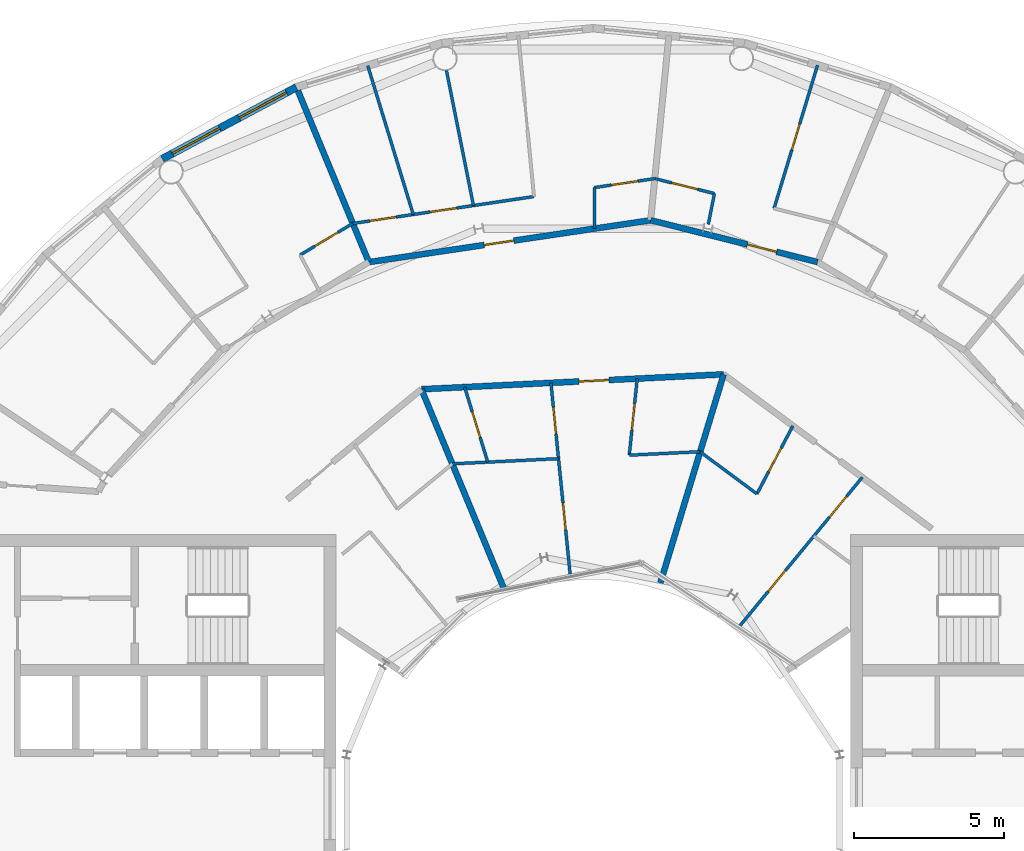
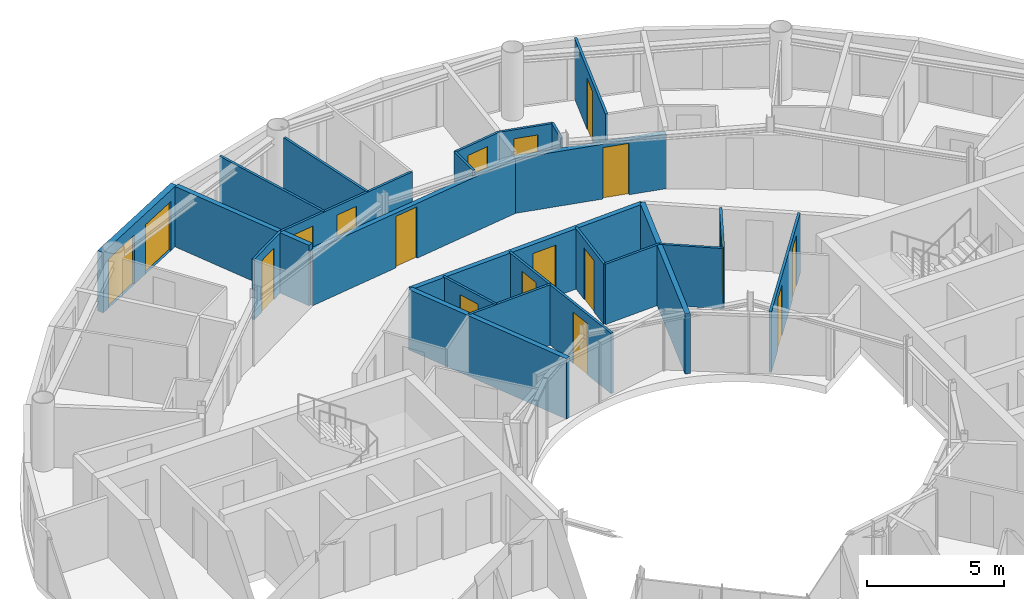
# One storey, part 17 of 22: 24 walls, 18 doors, 18 openings.
"""IFC4 building model written with IfcOpenShell, lengths in metres."""

import ifcopenshell
import ifcopenshell.guid

model = None  # the IFC model being written
_history = None  # IfcOwnerHistory: only IFC2X3 demands one
_inside = {}  # id of a spatial element -> (the spatial element, [elements in it])
_under = {}  # id of a project, library or spatial element -> (it, [spatial elements below it])
_declared = {}  # id of a project -> (the project, [libraries it declares])
_typed = {}  # id of a type object -> (the type object, [elements of that type])
_made_of = {}  # id of a material, layer set ... -> (it, [elements and type objects made of it])


def new_model(schema):
    """Start an empty IFC model of exactly this schema.

    Asked for "IFC4X3", IfcOpenShell would pick the latest addendum, in which some entities
    have other attributes; the version numbers below select the first issue.
    IFC2X3 requires an IfcOwnerHistory on every rooted entity: one is made here for all.
    """
    global model, _history
    if schema == "IFC4X3":
        model = ifcopenshell.file(schema_version=(4, 3, 0, 0))
    else:
        model = ifcopenshell.file(schema=schema)
    _inside.clear()
    _under.clear()
    _declared.clear()
    _typed.clear()
    _made_of.clear()
    _history = None
    if model.schema == "IFC2X3":
        org = make("IfcOrganization", Name="unknown")
        user = make(
            "IfcPersonAndOrganization",
            ThePerson=make("IfcPerson", FamilyName="unknown"),
            TheOrganization=org,
        )
        app = make(
            "IfcApplication",
            ApplicationDeveloper=org,
            Version="unknown",
            ApplicationFullName="unknown",
            ApplicationIdentifier="unknown",
        )
        _history = make(
            "IfcOwnerHistory",
            OwningUser=user,
            OwningApplication=app,
            ChangeAction="ADDED",
            CreationDate=0,
        )
    return model


def make(cls, **values):
    """One entity of the class cls with the attributes given. An attribute that is None is left unset."""
    return model.create_entity(
        cls, **{name: value for name, value in values.items() if value is not None}
    )


def rooted(cls, **values):
    """An entity with a GlobalId (a new one), such as an element, a storey or a relation."""
    return make(cls, GlobalId=ifcopenshell.guid.new(), OwnerHistory=_history, **values)


def si_unit(unit_type, name, prefix=None):
    """IfcSIUnit, for example si_unit("LENGTHUNIT", "METRE", prefix="MILLI")."""
    return make("IfcSIUnit", UnitType=unit_type, Prefix=prefix, Name=name)


def assignment(units):
    """IfcUnitAssignment: the units of a project."""
    return None if units is None else make("IfcUnitAssignment", Units=units)


def point(xyz):
    """IfcCartesianPoint."""
    return None if xyz is None else make("IfcCartesianPoint", Coordinates=xyz)


def direction(xyz):
    """IfcDirection."""
    return None if xyz is None else make("IfcDirection", DirectionRatios=xyz)


def frame(location, z_axis=None, x_axis=None):
    """IfcAxis2Placement3D, a coordinate frame: its origin and axes. An axis left out is left unset."""
    return make(
        "IfcAxis2Placement3D",
        Location=point(location),
        Axis=direction(z_axis),
        RefDirection=direction(x_axis),
    )


def frame_2d(location, x_axis=None):
    """IfcAxis2Placement2D, a coordinate frame in the plane: its origin and x axis."""
    return make(
        "IfcAxis2Placement2D", Location=point(location), RefDirection=direction(x_axis)
    )


def origin():
    """The frame at (0, 0, 0) with its axes left unset."""
    return frame((0.0, 0.0, 0.0))


def place(relative_to, where):
    """IfcLocalPlacement: puts the frame where relative to a parent placement (None: the world)."""
    return make(
        "IfcLocalPlacement", PlacementRelTo=relative_to, RelativePlacement=where
    )


def context(
    kind, dimensions, precision=None, world=None, true_north=None, identifier=None
):
    """IfcGeometricRepresentationContext, for example the 3D "Model" context."""
    return make(
        "IfcGeometricRepresentationContext",
        ContextIdentifier=identifier,
        ContextType=kind,
        CoordinateSpaceDimension=dimensions,
        Precision=precision,
        WorldCoordinateSystem=world,
        TrueNorth=true_north,
    )


def subcontext(parent, identifier, kind, view, scale=None):
    """IfcGeometricRepresentationSubContext, for example "Body" below "Model"."""
    return make(
        "IfcGeometricRepresentationSubContext",
        ContextIdentifier=identifier,
        ContextType=kind,
        ParentContext=parent,
        TargetScale=scale,
        TargetView=view,
    )


def project(units=None, contexts=None):
    """IfcProject with its units and contexts."""
    return rooted(
        "IfcProject",
        Name="project",
        RepresentationContexts=contexts,
        UnitsInContext=assignment(units),
    )


def spatial(cls, under=None, at=None, **own):
    """A site, building, storey or space (cls), placed at a placement, below another one or the project."""
    s = rooted(cls, ObjectPlacement=at, **own)
    if under is not None:
        _under.setdefault(under.id(), (under, []))[1].append(s)
    return s


def profile(cls, at=None, kind="AREA", **sizes):
    """A parametric profile (cls). Its sizes go by their IFC names, for example OverallWidth=200.0."""
    return make(cls, ProfileType=kind, Position=at, **sizes)


def rectangle(**sizes):
    """IfcRectangleProfileDef."""
    return profile("IfcRectangleProfileDef", **sizes)


def extrude(swept, where, along, depth):
    """IfcExtrudedAreaSolid: the profile swept, set in the frame where, extruded along a direction by depth."""
    return make(
        "IfcExtrudedAreaSolid",
        SweptArea=swept,
        Position=where,
        ExtrudedDirection=direction(along),
        Depth=depth,
    )


def shape(context_of_items, identifier, shape_type, items):
    """IfcShapeRepresentation: the items that make up one representation, for example the "Body"."""
    return make(
        "IfcShapeRepresentation",
        ContextOfItems=context_of_items,
        RepresentationIdentifier=identifier,
        RepresentationType=shape_type,
        Items=items,
    )


def material(Name=None, Category=None):
    """IfcMaterial."""
    return make("IfcMaterial", Name=Name, Category=Category)


def layer(
    of_material, thickness, ventilated=None, Name=None, Category=None, Priority=None
):
    """IfcMaterialLayer: one layer of a wall or slab, of a material (None: an air gap)."""
    return make(
        "IfcMaterialLayer",
        Material=of_material,
        LayerThickness=thickness,
        IsVentilated=ventilated,
        Name=Name,
        Category=Category,
        Priority=Priority,
    )


def layer_set(layers, Name=None):
    """IfcMaterialLayerSet."""
    return make("IfcMaterialLayerSet", MaterialLayers=layers, LayerSetName=Name)


def made_of(thing, what):
    """Note that an element or type object is made of a material, layer set ...; save() writes the relation."""
    if what is not None:
        _made_of.setdefault(what.id(), (what, []))[1].append(thing)
    return thing


def type_object(cls, material=None, **own):
    """A type object (cls), such as IfcWallType, which elements share."""
    return made_of(rooted(cls, **own), material)


def element(
    cls,
    number,
    at=None,
    inside=None,
    cuts=None,
    type_object=None,
    material=None,
    context=None,
    identifier="Body",
    shape_type=None,
    held_by="IfcProductDefinitionShape",
    body=None,
    shapes=None,
    **own,
):
    """One element of the class cls, such as IfcWall. Its Tag is "e" and its number.

    at: its placement. inside: the storey or other place that contains it. cuts: it is an
    opening in that element (IfcRelVoidsElement). A single representation is given by context,
    identifier, shape_type and body (its items); several are given by shapes. held_by: the class
    of the entity that holds the representations. save() writes the other relations.
    """
    e = rooted(cls, Tag="e%d" % number, ObjectPlacement=at, **own)
    if body is not None:
        shapes = [shape(context, identifier, shape_type, body)]
    if shapes is not None:
        e.Representation = make(held_by, Representations=shapes)
    if inside is not None:
        _inside.setdefault(inside.id(), (inside, []))[1].append(e)
    if cuts is not None:
        rooted(
            "IfcRelVoidsElement", RelatingBuildingElement=cuts, RelatedOpeningElement=e
        )
    if type_object is not None:
        _typed.setdefault(type_object.id(), (type_object, []))[1].append(e)
    return made_of(e, material)


def fill(opening, filler):
    """IfcRelFillsElement: the door or window that sits in an opening."""
    return rooted(
        "IfcRelFillsElement",
        RelatingOpeningElement=opening,
        RelatedBuildingElement=filler,
    )


def aggregate(whole, parts):
    """IfcRelAggregates: a whole, such as a stair, and the parts it consists of."""
    return rooted("IfcRelAggregates", RelatingObject=whole, RelatedObjects=parts)


def save(model, path):
    """Write the relations noted so far, then the file.

    IfcRelAggregates (storeys below a building ...), IfcRelContainedInSpatialStructure (elements
    in a storey), IfcRelDefinesByType, IfcRelAssociatesMaterial and IfcRelDeclares: one each for
    every whole, place, type object, material and project.
    """
    for whole, parts in _under.values():
        aggregate(whole, parts)
    for where, things in _inside.values():
        rooted(
            "IfcRelContainedInSpatialStructure",
            RelatedElements=things,
            RelatingStructure=where,
        )
    for kind, things in _typed.values():
        rooted("IfcRelDefinesByType", RelatedObjects=things, RelatingType=kind)
    for what, things in _made_of.values():
        rooted("IfcRelAssociatesMaterial", RelatedObjects=things, RelatingMaterial=what)
    for by, libraries in _declared.values():
        rooted("IfcRelDeclares", RelatingContext=by, RelatedDefinitions=libraries)
    model.write(path)


model = new_model("IFC4")

# Units and contexts
model_context = context("Model", 3, precision=1e-05, world=origin(), true_north=direction((0.0, 1.0)))
body_context = subcontext(model_context, "Body", "Model", "MODEL_VIEW")
ifc_project = project(units=[si_unit("LENGTHUNIT", "METRE"), si_unit("AREAUNIT", "SQUARE_METRE"), si_unit("VOLUMEUNIT", "CUBIC_METRE"), si_unit("PLANEANGLEUNIT", "RADIAN"), si_unit("MASSUNIT", "GRAM", prefix="KILO")], contexts=[model_context])

# Site, building, storey
site_placement = place(None, origin())
site = spatial("IfcSite", under=ifc_project, at=site_placement, CompositionType="ELEMENT")
building_placement = place(site_placement, origin())
building = spatial("IfcBuilding", under=site, at=building_placement, Name="Maasbend Ring Residences", CompositionType="ELEMENT")
storey_placement = place(building_placement, frame((0.0, 0.0, 237.10009765625)))
storey = spatial("IfcBuildingStorey", under=building, at=storey_placement, Name="L68", CompositionType="ELEMENT", Elevation=237.10009765625)

# Wall, opening, door
ifc_material_1 = material(Name="Concrete C30/37", Category="concrete")
ifc_layer_1 = layer(ifc_material_1, 0.199951171875)
ifc_layer_set_1 = layer_set([ifc_layer_1], Name="Concrete C30/37")
wall_type_1 = type_object("IfcWallType", Name="CORRIDOR WALL 200 CONCRETE", PredefinedType="PARTITIONING", material=ifc_layer_set_1)
wall_1_placement = place(storey_placement, frame((-5.739990234375, 13.85791015625, 0.0), z_axis=(0.0, 0.0, 1.0), x_axis=(0.998789706874, 0.049184565079, 0.0)))
wall_1 = element("IfcWall", 1, at=wall_1_placement, inside=storey, type_object=wall_type_1, Name="U-L68-w107", PredefinedType="PARTITIONING", context=body_context, shape_type="SweptSolid", body=[
    extrude(rectangle(XDim=10.106201171875, YDim=0.199951171875, at=frame_2d((5.05322265625, 0.0))), origin(), (0.0, 0.0, 1.0), 2.699951171875),
])
opening_1_placement = place(wall_1_placement, frame((5.27392578125, 0.0, 0.0)))
opening_1 = element("IfcOpeningElement", 2, at=opening_1_placement, cuts=wall_1, Name="Opening D-6825", PredefinedType="OPENING", context=body_context, shape_type="SweptSolid", body=[
    extrude(rectangle(XDim=1.0, YDim=2.300048828125, at=frame_2d((0.5, 1.14990234375))), frame((0.0, 0.10986328125, 0.0), z_axis=(0.0, -1.0, 0.0), x_axis=(1.0, 0.0, 0.0)), (0.0, 0.0, 1.0), 0.219970703125),
])
ifc_material_2 = material(Name="Timber, fire-rated, painted", Category="wood")
door_type_1 = type_object("IfcDoorType", Name="FLAT ENTRANCE DOOR 1000 X 2300 FIRE-RATED", OperationType="NOTDEFINED", PredefinedType="DOOR", material=ifc_material_2)
door_1_placement = place(opening_1_placement, origin())
door_1 = element("IfcDoor", 3, at=door_1_placement, inside=storey, type_object=door_type_1, Name="D-6825", OperationType="SINGLE_SWING_RIGHT", OverallHeight=2.300048828125, OverallWidth=1.0, PredefinedType="DOOR", context=body_context, shape_type="SweptSolid", body=[
    extrude(rectangle(XDim=1.0, YDim=2.300048828125, at=frame_2d((0.5, 1.14990234375))), frame((0.0, 0.02490234375, 0.0), z_axis=(0.0, -1.0, 0.0), x_axis=(1.0, 0.0, 0.0)), (0.0, 0.0, 1.0), 0.050048828125),
])
fill(opening_1, door_1)

wall_2_placement = place(storey_placement, frame((-7.506103515625, 18.10498046875, 0.0), z_axis=(0.0, 0.0, 1.0), x_axis=(0.989134446023, 0.147013767014, 0.0)))
wall_2 = element("IfcWall", 4, at=wall_2_placement, inside=storey, type_object=wall_type_1, Name="U-L68-w110", PredefinedType="PARTITIONING", context=body_context, shape_type="SweptSolid", body=[
    extrude(rectangle(XDim=9.530517578125, YDim=0.199951171875, at=frame_2d((4.76513671875, 0.0))), origin(), (0.0, 0.0, 1.0), 2.449951171875),
])
opening_2_placement = place(wall_2_placement, frame((3.905029296875, 0.0, 0.0)))
opening_2 = element("IfcOpeningElement", 5, at=opening_2_placement, cuts=wall_2, Name="Opening D-6810", PredefinedType="OPENING", context=body_context, shape_type="SweptSolid", body=[
    extrude(rectangle(XDim=1.0, YDim=2.300048828125, at=frame_2d((0.5, 1.14990234375))), frame((0.0, 0.10986328125, 0.0), z_axis=(0.0, -1.0, 0.0), x_axis=(1.0, 0.0, 0.0)), (0.0, 0.0, 1.0), 0.219970703125),
])
door_2_placement = place(opening_2_placement, origin())
door_2 = element("IfcDoor", 6, at=door_2_placement, inside=storey, type_object=door_type_1, Name="D-6810", OperationType="SINGLE_SWING_LEFT", OverallHeight=2.300048828125, OverallWidth=1.0, PredefinedType="DOOR", context=body_context, shape_type="SweptSolid", body=[
    extrude(rectangle(XDim=1.0, YDim=2.300048828125, at=frame_2d((0.5, 1.14990234375))), frame((0.0, 0.02490234375, 0.0), z_axis=(0.0, -1.0, 0.0), x_axis=(1.0, 0.0, 0.0)), (0.0, 0.0, 1.0), 0.050048828125),
])
fill(opening_2, door_2)

wall_3_placement = place(storey_placement, frame((1.9208984375, 19.506103515625, 0.0), z_axis=(0.0, 0.0, 1.0), x_axis=(0.970012544183, -0.243054858266, 0.0)))
wall_3 = element("IfcWall", 7, at=wall_3_placement, inside=storey, type_object=wall_type_1, Name="U-L68-w113", PredefinedType="PARTITIONING", context=body_context, shape_type="SweptSolid", body=[
    extrude(rectangle(XDim=5.752685546875, YDim=0.199951171875, at=frame_2d((2.87646484375, 0.0))), origin(), (0.0, 0.0, 1.0), 2.449951171875),
])
opening_3_placement = place(wall_3_placement, frame((3.3349609375, 0.0, 0.0)))
opening_3 = element("IfcOpeningElement", 8, at=opening_3_placement, cuts=wall_3, Name="Opening D-6807", PredefinedType="OPENING", context=body_context, shape_type="SweptSolid", body=[
    extrude(rectangle(XDim=1.0, YDim=2.300048828125, at=frame_2d((0.5, 1.14990234375))), frame((0.0, 0.10986328125, 0.0), z_axis=(0.0, -1.0, 0.0), x_axis=(1.0, 0.0, 0.0)), (0.0, 0.0, 1.0), 0.219970703125),
])
door_3_placement = place(opening_3_placement, origin())
door_3 = element("IfcDoor", 9, at=door_3_placement, inside=storey, type_object=door_type_1, Name="D-6807", OperationType="SINGLE_SWING_RIGHT", OverallHeight=2.300048828125, OverallWidth=1.0, PredefinedType="DOOR", context=body_context, shape_type="SweptSolid", body=[
    extrude(rectangle(XDim=1.0, YDim=2.300048828125, at=frame_2d((0.5, 1.14990234375))), frame((0.0, 0.02490234375, 0.0), z_axis=(0.0, -1.0, 0.0), x_axis=(1.0, 0.0, 0.0)), (0.0, 0.0, 1.0), 0.050048828125),
])
fill(opening_3, door_3)

# Wall, openings, doors
ifc_material_3 = material(Name="Aluminium clad insulated panel", Category="aluminium")
ifc_layer_2 = layer(ifc_material_3, 0.25)
ifc_layer_set_2 = layer_set([ifc_layer_2], Name="EW-GL")
wall_type_2 = type_object("IfcWallType", Name="EW-GL", PredefinedType="SOLIDWALL", material=ifc_layer_set_2)
wall_4_placement = place(storey_placement, frame((-9.9208984375, 23.951904296875, 0.0), z_axis=(0.0, 0.0, 1.0), x_axis=(-0.881903089468, -0.47143073806, 0.0)))
wall_4 = element("IfcWall", 10, at=wall_4_placement, inside=storey, type_object=wall_type_2, Name="External wall N08", PredefinedType="SOLIDWALL", context=body_context, shape_type="SweptSolid", body=[
    extrude(rectangle(XDim=5.082275390625, YDim=0.25, at=frame_2d((2.541015625, 0.0))), origin(), (0.0, 0.0, 1.0), 2.699951171875),
])
opening_4_placement = place(wall_4_placement, frame((0.37353515625, 0.0, 0.0)))
opening_4 = element("IfcOpeningElement", 11, at=opening_4_placement, cuts=wall_4, Name="Opening D-TR", PredefinedType="OPENING", context=body_context, shape_type="SweptSolid", body=[
    extrude(rectangle(XDim=1.800048828125, YDim=2.199951171875, at=frame_2d((0.89990234375, 1.10009765625))), frame((0.0, 0.135009765625, 0.0), z_axis=(0.0, -1.0, 0.0), x_axis=(1.0, 0.0, 0.0)), (0.0, 0.0, 1.0), 0.27001953125),
])
opening_5_placement = place(wall_4_placement, frame((2.90869140625, 0.0, 0.0)))
opening_5 = element("IfcOpeningElement", 12, at=opening_5_placement, cuts=wall_4, Name="Opening D-TR", PredefinedType="OPENING", context=body_context, shape_type="SweptSolid", body=[
    extrude(rectangle(XDim=1.800048828125, YDim=2.199951171875, at=frame_2d((0.89990234375, 1.10009765625))), frame((0.0, 0.135009765625, 0.0), z_axis=(0.0, -1.0, 0.0), x_axis=(1.0, 0.0, 0.0)), (0.0, 0.0, 1.0), 0.27001953125),
])
ifc_material_4 = material(Name="Aluminium and clear glass", Category="aluminium")
door_type_2 = type_object("IfcDoorType", Name="D-TR", OperationType="DOUBLE_DOOR_SINGLE_SWING", PredefinedType="DOOR", material=ifc_material_4)
door_4_placement = place(opening_4_placement, origin())
door_4 = element("IfcDoor", 13, at=door_4_placement, inside=storey, type_object=door_type_2, Name="Terrace door N15", OperationType="SINGLE_SWING_LEFT", OverallHeight=2.199951171875, OverallWidth=1.800048828125, PredefinedType="DOOR", context=body_context, shape_type="SweptSolid", body=[
    extrude(rectangle(XDim=1.800048828125, YDim=2.199951171875, at=frame_2d((0.89990234375, 1.10009765625))), frame((0.0, 0.02490234375, 0.0), z_axis=(0.0, -1.0, 0.0), x_axis=(1.0, 0.0, 0.0)), (0.0, 0.0, 1.0), 0.050048828125),
])
fill(opening_4, door_4)
door_5_placement = place(opening_5_placement, origin())
door_5 = element("IfcDoor", 14, at=door_5_placement, inside=storey, type_object=door_type_2, Name="Terrace door N16", OperationType="SINGLE_SWING_LEFT", OverallHeight=2.199951171875, OverallWidth=1.800048828125, PredefinedType="DOOR", context=body_context, shape_type="SweptSolid", body=[
    extrude(rectangle(XDim=1.800048828125, YDim=2.199951171875, at=frame_2d((0.89990234375, 1.10009765625))), frame((0.0, 0.02490234375, 0.0), z_axis=(0.0, -1.0, 0.0), x_axis=(1.0, 0.0, 0.0)), (0.0, 0.0, 1.0), 0.050048828125),
])
fill(opening_5, door_5)

# Walls
ifc_material_5 = material(Name="Gypsum board on steel studs", Category="steel")
ifc_layer_3 = layer(ifc_material_5, 0.10009765625)
ifc_layer_set_3 = layer_set([ifc_layer_3], Name="PARTITION 100 GYPSUM")
wall_type_3 = type_object("IfcWallType", Name="PARTITION 100 GYPSUM", PredefinedType="PARTITIONING", material=ifc_layer_set_3)
wall_5_placement = place(storey_placement, frame((0.037109375, 19.22607421875, 0.0), z_axis=(0.0, 0.0, 1.0), x_axis=(0.001422473668, 0.999998988284, 0.0)))
element("IfcWall", 15, at=wall_5_placement, inside=storey, type_object=wall_type_3, Name="U-L68-w038", PredefinedType="PARTITIONING", context=body_context, shape_type="SweptSolid", body=[
    extrude(rectangle(XDim=1.373046875, YDim=0.10009765625, at=frame_2d((0.6865234375, 0.0))), origin(), (0.0, 0.0, 1.0), 2.699951171875),
])
wall_6_placement = place(storey_placement, frame((-7.537109375, 24.675048828125, 0.0), z_axis=(0.0, 0.0, 1.0), x_axis=(0.292244771208, -0.956343554222, 0.0)))
element("IfcWall", 16, at=wall_6_placement, inside=storey, type_object=wall_type_3, Name="U-L68-w055", PredefinedType="PARTITIONING", context=body_context, shape_type="SweptSolid", body=[
    extrude(rectangle(XDim=5.201171875, YDim=0.10009765625, at=frame_2d((2.6005859375, 0.0))), origin(), (0.0, 0.0, 1.0), 2.699951171875),
])
wall_7_placement = place(storey_placement, frame((-4.906982421875, 24.514892578125, 0.0), z_axis=(0.0, 0.0, 1.0), x_axis=(0.196299631225, -0.980543958617, 0.0)))
element("IfcWall", 17, at=wall_7_placement, inside=storey, type_object=wall_type_3, Name="U-L68-w060", PredefinedType="PARTITIONING", context=body_context, shape_type="SweptSolid", body=[
    extrude(rectangle(XDim=4.60546875, YDim=0.10009765625, at=frame_2d((2.302734375, 0.0))), origin(), (0.0, 0.0, 1.0), 2.699951171875),
])

# Wall, opening, door
wall_8_placement = place(storey_placement, frame((-4.298095703125, 13.928955078125, 0.0), z_axis=(0.0, 0.0, 1.0), x_axis=(0.294733203916, -0.95557958251, 0.0)))
wall_8 = element("IfcWall", 18, at=wall_8_placement, inside=storey, type_object=wall_type_3, Name="U-L68-w061", PredefinedType="PARTITIONING", context=body_context, shape_type="SweptSolid", body=[
    extrude(rectangle(XDim=2.623291015625, YDim=0.10009765625, at=frame_2d((1.3115234375, 0.0))), origin(), (0.0, 0.0, 1.0), 2.699951171875),
])
opening_6_placement = place(wall_8_placement, frame((0.862060546875, 0.0, 0.0)))
opening_6 = element("IfcOpeningElement", 19, at=opening_6_placement, cuts=wall_8, Name="Opening D-6828", PredefinedType="OPENING", context=body_context, shape_type="SweptSolid", body=[
    extrude(rectangle(XDim=0.89990234375, YDim=2.300048828125, at=frame_2d((0.449951171875, 1.14990234375))), frame((0.0, 0.06005859375, 0.0), z_axis=(0.0, -1.0, 0.0), x_axis=(1.0, 0.0, 0.0)), (0.0, 0.0, 1.0), 0.1201171875),
])
ifc_material_6 = material(Name="Timber, painted", Category="wood")
door_type_3 = type_object("IfcDoorType", Name="INTERNAL DOOR 900 X 2300", OperationType="NOTDEFINED", PredefinedType="DOOR", material=ifc_material_6)
door_6_placement = place(opening_6_placement, origin())
door_6 = element("IfcDoor", 20, at=door_6_placement, inside=storey, type_object=door_type_3, Name="D-6828", OperationType="SINGLE_SWING_LEFT", OverallHeight=2.300048828125, OverallWidth=0.89990234375, PredefinedType="DOOR", context=body_context, shape_type="SweptSolid", body=[
    extrude(rectangle(XDim=0.89990234375, YDim=2.300048828125, at=frame_2d((0.449951171875, 1.14990234375))), frame((0.0, 0.02490234375, 0.0), z_axis=(0.0, -1.0, 0.0), x_axis=(1.0, 0.0, 0.0)), (0.0, 0.0, 1.0), 0.050048828125),
])
fill(opening_6, door_6)

# Wall, openings, doors
wall_9_placement = place(storey_placement, frame((-1.4140625, 14.071044921875, 0.0), z_axis=(0.0, 0.0, 1.0), x_axis=(0.099827405887, -0.995004768347, 0.0)))
wall_9 = element("IfcWall", 21, at=wall_9_placement, inside=storey, type_object=wall_type_3, Name="U-L68-w067", PredefinedType="PARTITIONING", context=body_context, shape_type="SweptSolid", body=[
    extrude(rectangle(XDim=6.422119140625, YDim=0.10009765625, at=frame_2d((3.2109375, 0.0))), origin(), (0.0, 0.0, 1.0), 2.699951171875),
])
opening_7_placement = place(wall_9_placement, frame((0.822998046875, 0.0, 0.0)))
opening_7 = element("IfcOpeningElement", 22, at=opening_7_placement, cuts=wall_9, Name="Opening D-6827", PredefinedType="OPENING", context=body_context, shape_type="SweptSolid", body=[
    extrude(rectangle(XDim=0.89990234375, YDim=2.300048828125, at=frame_2d((0.449951171875, 1.14990234375))), frame((0.0, 0.06005859375, 0.0), z_axis=(0.0, -1.0, 0.0), x_axis=(1.0, 0.0, 0.0)), (0.0, 0.0, 1.0), 0.1201171875),
])
opening_8_placement = place(wall_9_placement, frame((4.034912109375, 0.0, 0.0)))
opening_8 = element("IfcOpeningElement", 23, at=opening_8_placement, cuts=wall_9, Name="Opening D-6829", PredefinedType="OPENING", context=body_context, shape_type="SweptSolid", body=[
    extrude(rectangle(XDim=0.89990234375, YDim=2.300048828125, at=frame_2d((0.449951171875, 1.14990234375))), frame((0.0, 0.06005859375, 0.0), z_axis=(0.0, -1.0, 0.0), x_axis=(1.0, 0.0, 0.0)), (0.0, 0.0, 1.0), 0.1201171875),
])
door_7_placement = place(opening_7_placement, origin())
door_7 = element("IfcDoor", 24, at=door_7_placement, inside=storey, type_object=door_type_3, Name="D-6827", OperationType="SINGLE_SWING_LEFT", OverallHeight=2.300048828125, OverallWidth=0.89990234375, PredefinedType="DOOR", context=body_context, shape_type="SweptSolid", body=[
    extrude(rectangle(XDim=0.89990234375, YDim=2.300048828125, at=frame_2d((0.449951171875, 1.14990234375))), frame((0.0, 0.02490234375, 0.0), z_axis=(0.0, -1.0, 0.0), x_axis=(1.0, 0.0, 0.0)), (0.0, 0.0, 1.0), 0.050048828125),
])
fill(opening_7, door_7)
door_8_placement = place(opening_8_placement, origin())
door_8 = element("IfcDoor", 25, at=door_8_placement, inside=storey, type_object=door_type_3, Name="D-6829", OperationType="SINGLE_SWING_RIGHT", OverallHeight=2.300048828125, OverallWidth=0.89990234375, PredefinedType="DOOR", context=body_context, shape_type="SweptSolid", body=[
    extrude(rectangle(XDim=0.89990234375, YDim=2.300048828125, at=frame_2d((0.449951171875, 1.14990234375))), frame((0.0, 0.02490234375, 0.0), z_axis=(0.0, -1.0, 0.0), x_axis=(1.0, 0.0, 0.0)), (0.0, 0.0, 1.0), 0.050048828125),
])
fill(opening_8, door_8)

# Wall, opening, door
wall_10_placement = place(storey_placement, frame((1.205078125, 11.654052734375, 0.0), z_axis=(0.0, 0.0, 1.0), x_axis=(0.103009280192, 0.994680394998, 0.0)))
wall_10 = element("IfcWall", 26, at=wall_10_placement, inside=storey, type_object=wall_type_3, Name="U-L68-w069", PredefinedType="PARTITIONING", context=body_context, shape_type="SweptSolid", body=[
    extrude(rectangle(XDim=2.571533203125, YDim=0.10009765625, at=frame_2d((1.28564453125, 0.0))), origin(), (0.0, 0.0, 1.0), 2.699951171875),
])
opening_9_placement = place(wall_10_placement, frame((0.8359375, 0.0, 0.0)))
opening_9 = element("IfcOpeningElement", 27, at=opening_9_placement, cuts=wall_10, Name="Opening D-6826", PredefinedType="OPENING", context=body_context, shape_type="SweptSolid", body=[
    extrude(rectangle(XDim=0.89990234375, YDim=2.300048828125, at=frame_2d((0.449951171875, 1.14990234375))), frame((0.0, 0.06005859375, 0.0), z_axis=(0.0, -1.0, 0.0), x_axis=(1.0, 0.0, 0.0)), (0.0, 0.0, 1.0), 0.1201171875),
])
door_9_placement = place(opening_9_placement, origin())
door_9 = element("IfcDoor", 28, at=door_9_placement, inside=storey, type_object=door_type_3, Name="D-6826", OperationType="SINGLE_SWING_RIGHT", OverallHeight=2.300048828125, OverallWidth=0.89990234375, PredefinedType="DOOR", context=body_context, shape_type="SweptSolid", body=[
    extrude(rectangle(XDim=0.89990234375, YDim=2.300048828125, at=frame_2d((0.449951171875, 1.14990234375))), frame((0.0, 0.02490234375, 0.0), z_axis=(0.0, -1.0, 0.0), x_axis=(1.0, 0.0, 0.0)), (0.0, 0.0, 1.0), 0.050048828125),
])
fill(opening_9, door_9)

# Wall
wall_11_placement = place(storey_placement, frame((3.846923828125, 19.3720703125, 0.0), z_axis=(0.0, 0.0, 1.0), x_axis=(0.194771831703, 0.980848578311, 0.0)))
element("IfcWall", 29, at=wall_11_placement, inside=storey, type_object=wall_type_3, Name="U-L68-w075", PredefinedType="PARTITIONING", context=body_context, shape_type="SweptSolid", body=[
    extrude(rectangle(XDim=1.0478515625, YDim=0.10009765625, at=frame_2d((0.52392578125, 0.0))), origin(), (0.0, 0.0, 1.0), 2.699951171875),
])

# Wall, openings, doors
wall_12_placement = place(storey_placement, frame((4.908935546875, 5.9580078125, 0.0), z_axis=(0.0, 0.0, 1.0), x_axis=(0.635941750694, 0.771737059965, 0.0)))
wall_12 = element("IfcWall", 30, at=wall_12_placement, inside=storey, type_object=wall_type_3, Name="U-L68-w078", PredefinedType="PARTITIONING", context=body_context, shape_type="SweptSolid", body=[
    extrude(rectangle(XDim=6.421875, YDim=0.10009765625, at=frame_2d((3.2109375, 0.0))), origin(), (0.0, 0.0, 1.0), 2.699951171875),
])
opening_10_placement = place(wall_12_placement, frame((4.698974609375, 0.0, 0.0)))
opening_10 = element("IfcOpeningElement", 31, at=opening_10_placement, cuts=wall_12, Name="Opening D-6823", PredefinedType="OPENING", context=body_context, shape_type="SweptSolid", body=[
    extrude(rectangle(XDim=0.89990234375, YDim=2.300048828125, at=frame_2d((0.449951171875, 1.14990234375))), frame((0.0, 0.06005859375, 0.0), z_axis=(0.0, -1.0, 0.0), x_axis=(1.0, 0.0, 0.0)), (0.0, 0.0, 1.0), 0.1201171875),
])
opening_11_placement = place(wall_12_placement, frame((1.488037109375, 0.0, 0.0)))
opening_11 = element("IfcOpeningElement", 32, at=opening_11_placement, cuts=wall_12, Name="Opening D-6824", PredefinedType="OPENING", context=body_context, shape_type="SweptSolid", body=[
    extrude(rectangle(XDim=0.89990234375, YDim=2.300048828125, at=frame_2d((0.449951171875, 1.14990234375))), frame((0.0, 0.06005859375, 0.0), z_axis=(0.0, -1.0, 0.0), x_axis=(1.0, 0.0, 0.0)), (0.0, 0.0, 1.0), 0.1201171875),
])
door_10_placement = place(opening_10_placement, origin())
door_10 = element("IfcDoor", 33, at=door_10_placement, inside=storey, type_object=door_type_3, Name="D-6823", OperationType="SINGLE_SWING_RIGHT", OverallHeight=2.300048828125, OverallWidth=0.89990234375, PredefinedType="DOOR", context=body_context, shape_type="SweptSolid", body=[
    extrude(rectangle(XDim=0.89990234375, YDim=2.300048828125, at=frame_2d((0.449951171875, 1.14990234375))), frame((0.0, 0.02490234375, 0.0), z_axis=(0.0, -1.0, 0.0), x_axis=(1.0, 0.0, 0.0)), (0.0, 0.0, 1.0), 0.050048828125),
])
fill(opening_10, door_10)
door_11_placement = place(opening_11_placement, origin())
door_11 = element("IfcDoor", 34, at=door_11_placement, inside=storey, type_object=door_type_3, Name="D-6824", OperationType="SINGLE_SWING_LEFT", OverallHeight=2.300048828125, OverallWidth=0.89990234375, PredefinedType="DOOR", context=body_context, shape_type="SweptSolid", body=[
    extrude(rectangle(XDim=0.89990234375, YDim=2.300048828125, at=frame_2d((0.449951171875, 1.14990234375))), frame((0.0, 0.02490234375, 0.0), z_axis=(0.0, -1.0, 0.0), x_axis=(1.0, 0.0, 0.0)), (0.0, 0.0, 1.0), 0.050048828125),
])
fill(opening_11, door_11)

# Wall, opening, door
wall_13_placement = place(storey_placement, frame((5.471923828125, 10.360107421875, 0.0), z_axis=(0.0, 0.0, 1.0), x_axis=(0.467373035141, 0.884060204976, 0.0)))
wall_13 = element("IfcWall", 35, at=wall_13_placement, inside=storey, type_object=wall_type_3, Name="U-L68-w080", PredefinedType="PARTITIONING", context=body_context, shape_type="SweptSolid", body=[
    extrude(rectangle(XDim=2.572021484375, YDim=0.10009765625, at=frame_2d((1.2861328125, 0.0))), origin(), (0.0, 0.0, 1.0), 2.699951171875),
])
opening_12_placement = place(wall_13_placement, frame((0.8359375, 0.0, 0.0)))
opening_12 = element("IfcOpeningElement", 36, at=opening_12_placement, cuts=wall_13, Name="Opening D-6822", PredefinedType="OPENING", context=body_context, shape_type="SweptSolid", body=[
    extrude(rectangle(XDim=0.89990234375, YDim=2.300048828125, at=frame_2d((0.449951171875, 1.14990234375))), frame((0.0, 0.06005859375, 0.0), z_axis=(0.0, -1.0, 0.0), x_axis=(1.0, 0.0, 0.0)), (0.0, 0.0, 1.0), 0.1201171875),
])
door_12_placement = place(opening_12_placement, origin())
door_12 = element("IfcDoor", 37, at=door_12_placement, inside=storey, type_object=door_type_3, Name="D-6822", OperationType="SINGLE_SWING_LEFT", OverallHeight=2.300048828125, OverallWidth=0.89990234375, PredefinedType="DOOR", context=body_context, shape_type="SweptSolid", body=[
    extrude(rectangle(XDim=0.89990234375, YDim=2.300048828125, at=frame_2d((0.449951171875, 1.14990234375))), frame((0.0, 0.02490234375, 0.0), z_axis=(0.0, -1.0, 0.0), x_axis=(1.0, 0.0, 0.0)), (0.0, 0.0, 1.0), 0.050048828125),
])
fill(opening_12, door_12)

wall_14_placement = place(storey_placement, frame((6.0439453125, 19.90087890625, 0.0), z_axis=(0.0, 0.0, 1.0), x_axis=(0.290516718077, 0.956869916194, 0.0)))
wall_14 = element("IfcWall", 38, at=wall_14_placement, inside=storey, type_object=wall_type_3, Name="U-L68-w082", PredefinedType="PARTITIONING", context=body_context, shape_type="SweptSolid", body=[
    extrude(rectangle(XDim=5.001953125, YDim=0.10009765625, at=frame_2d((2.5009765625, 0.0))), origin(), (0.0, 0.0, 1.0), 2.699951171875),
])
opening_13_placement = place(wall_14_placement, frame((2.051025390625, 0.0, 0.0)))
opening_13 = element("IfcOpeningElement", 39, at=opening_13_placement, cuts=wall_14, Name="Opening D-6809", PredefinedType="OPENING", context=body_context, shape_type="SweptSolid", body=[
    extrude(rectangle(XDim=0.89990234375, YDim=2.300048828125, at=frame_2d((0.449951171875, 1.14990234375))), frame((0.0, 0.06005859375, 0.0), z_axis=(0.0, -1.0, 0.0), x_axis=(1.0, 0.0, 0.0)), (0.0, 0.0, 1.0), 0.1201171875),
])
door_13_placement = place(opening_13_placement, origin())
door_13 = element("IfcDoor", 40, at=door_13_placement, inside=storey, type_object=door_type_3, Name="D-6809", OperationType="SINGLE_SWING_LEFT", OverallHeight=2.300048828125, OverallWidth=0.89990234375, PredefinedType="DOOR", context=body_context, shape_type="SweptSolid", body=[
    extrude(rectangle(XDim=0.89990234375, YDim=2.300048828125, at=frame_2d((0.449951171875, 1.14990234375))), frame((0.0, 0.02490234375, 0.0), z_axis=(0.0, -1.0, 0.0), x_axis=(1.0, 0.0, 0.0)), (0.0, 0.0, 1.0), 0.050048828125),
])
fill(opening_13, door_13)

# Walls
wall_15_placement = place(storey_placement, frame((-4.70703125, 11.364013671875, 0.0), z_axis=(0.0, 0.0, 1.0), x_axis=(0.998798028825, 0.04901527941, 0.0)))
element("IfcWall", 41, at=wall_15_placement, inside=storey, type_object=wall_type_3, Name="U-L68-w101", PredefinedType="PARTITIONING", context=body_context, shape_type="SweptSolid", body=[
    extrude(rectangle(XDim=3.55126953125, YDim=0.10009765625, at=frame_2d((1.775634765625, 0.0))), origin(), (0.0, 0.0, 1.0), 2.699951171875),
])
wall_16_placement = place(storey_placement, frame((1.205078125, 11.654052734375, 0.0), z_axis=(0.0, 0.0, 1.0), x_axis=(0.99880094701, 0.04895577854, 0.0)))
element("IfcWall", 42, at=wall_16_placement, inside=storey, type_object=wall_type_3, Name="U-L68-w102", PredefinedType="PARTITIONING", context=body_context, shape_type="SweptSolid", body=[
    extrude(rectangle(XDim=2.368896484375, YDim=0.10009765625, at=frame_2d((1.1845703125, 0.0))), origin(), (0.0, 0.0, 1.0), 2.699951171875),
])
wall_17_placement = place(storey_placement, frame((3.569091796875, 11.77001953125, 0.0), z_axis=(0.0, 0.0, 1.0), x_axis=(0.803379855413, -0.5954668823, 0.0)))
element("IfcWall", 43, at=wall_17_placement, inside=storey, type_object=wall_type_3, Name="U-L68-w103", PredefinedType="PARTITIONING", context=body_context, shape_type="SweptSolid", body=[
    extrude(rectangle(XDim=2.3662109375, YDim=0.10009765625, at=frame_2d((1.18310546875, 0.0))), origin(), (0.0, 0.0, 1.0), 2.699951171875),
])

# Wall, openings, doors
wall_18_placement = place(storey_placement, frame((-8.0390625, 19.39892578125, 0.0), z_axis=(0.0, 0.0, 1.0), x_axis=(0.989150987706, 0.14690242857, 0.0)))
wall_18 = element("IfcWall", 44, at=wall_18_placement, inside=storey, type_object=wall_type_3, Name="U-L68-w118", PredefinedType="PARTITIONING", context=body_context, shape_type="SweptSolid", body=[
    extrude(rectangle(XDim=6.12744140625, YDim=0.10009765625, at=frame_2d((3.063720703125, 0.0))), origin(), (0.0, 0.0, 1.0), 2.699951171875),
])
opening_14_placement = place(wall_18_placement, frame((2.611083984375, 0.0, 0.0)))
opening_14 = element("IfcOpeningElement", 45, at=opening_14_placement, cuts=wall_18, Name="Opening D-6813", PredefinedType="OPENING", context=body_context, shape_type="SweptSolid", body=[
    extrude(rectangle(XDim=0.89990234375, YDim=2.300048828125, at=frame_2d((0.449951171875, 1.14990234375))), frame((0.0, 0.06005859375, 0.0), z_axis=(0.0, -1.0, 0.0), x_axis=(1.0, 0.0, 0.0)), (0.0, 0.0, 1.0), 0.1201171875),
])
opening_15_placement = place(wall_18_placement, frame((0.574951171875, 0.0, 0.0)))
opening_15 = element("IfcOpeningElement", 46, at=opening_15_placement, cuts=wall_18, Name="Opening D-6814", PredefinedType="OPENING", context=body_context, shape_type="SweptSolid", body=[
    extrude(rectangle(XDim=0.89990234375, YDim=2.300048828125, at=frame_2d((0.449951171875, 1.14990234375))), frame((0.0, 0.06005859375, 0.0), z_axis=(0.0, -1.0, 0.0), x_axis=(1.0, 0.0, 0.0)), (0.0, 0.0, 1.0), 0.1201171875),
])
door_14_placement = place(opening_14_placement, origin())
door_14 = element("IfcDoor", 47, at=door_14_placement, inside=storey, type_object=door_type_3, Name="D-6813", OperationType="SINGLE_SWING_LEFT", OverallHeight=2.300048828125, OverallWidth=0.89990234375, PredefinedType="DOOR", context=body_context, shape_type="SweptSolid", body=[
    extrude(rectangle(XDim=0.89990234375, YDim=2.300048828125, at=frame_2d((0.449951171875, 1.14990234375))), frame((0.0, 0.02490234375, 0.0), z_axis=(0.0, -1.0, 0.0), x_axis=(1.0, 0.0, 0.0)), (0.0, 0.0, 1.0), 0.050048828125),
])
fill(opening_14, door_14)
door_15_placement = place(opening_15_placement, origin())
door_15 = element("IfcDoor", 48, at=door_15_placement, inside=storey, type_object=door_type_3, Name="D-6814", OperationType="SINGLE_SWING_LEFT", OverallHeight=2.300048828125, OverallWidth=0.89990234375, PredefinedType="DOOR", context=body_context, shape_type="SweptSolid", body=[
    extrude(rectangle(XDim=0.89990234375, YDim=2.300048828125, at=frame_2d((0.449951171875, 1.14990234375))), frame((0.0, 0.02490234375, 0.0), z_axis=(0.0, -1.0, 0.0), x_axis=(1.0, 0.0, 0.0)), (0.0, 0.0, 1.0), 0.050048828125),
])
fill(opening_15, door_15)

# Wall, opening, door
wall_19_placement = place(storey_placement, frame((0.0390625, 20.59912109375, 0.0), z_axis=(0.0, 0.0, 1.0), x_axis=(0.989154601185, 0.146878095557, 0.0)))
wall_19 = element("IfcWall", 49, at=wall_19_placement, inside=storey, type_object=wall_type_3, Name="U-L68-w119", PredefinedType="PARTITIONING", context=body_context, shape_type="SweptSolid", body=[
    extrude(rectangle(XDim=2.041259765625, YDim=0.10009765625, at=frame_2d((1.0205078125, 0.0))), origin(), (0.0, 0.0, 1.0), 2.699951171875),
])
opening_16_placement = place(wall_19_placement, frame((0.571044921875, 0.0, 0.0)))
opening_16 = element("IfcOpeningElement", 50, at=opening_16_placement, cuts=wall_19, Name="Opening D-6811", PredefinedType="OPENING", context=body_context, shape_type="SweptSolid", body=[
    extrude(rectangle(XDim=0.89990234375, YDim=2.300048828125, at=frame_2d((0.449951171875, 1.14990234375))), frame((0.0, 0.06005859375, 0.0), z_axis=(0.0, -1.0, 0.0), x_axis=(1.0, 0.0, 0.0)), (0.0, 0.0, 1.0), 0.1201171875),
])
door_16_placement = place(opening_16_placement, origin())
door_16 = element("IfcDoor", 51, at=door_16_placement, inside=storey, type_object=door_type_3, Name="D-6811", OperationType="SINGLE_SWING_RIGHT", OverallHeight=2.300048828125, OverallWidth=0.89990234375, PredefinedType="DOOR", context=body_context, shape_type="SweptSolid", body=[
    extrude(rectangle(XDim=0.89990234375, YDim=2.300048828125, at=frame_2d((0.449951171875, 1.14990234375))), frame((0.0, 0.02490234375, 0.0), z_axis=(0.0, -1.0, 0.0), x_axis=(1.0, 0.0, 0.0)), (0.0, 0.0, 1.0), 0.050048828125),
])
fill(opening_16, door_16)

wall_20_placement = place(storey_placement, frame((-9.802001953125, 18.342041015625, 0.0), z_axis=(0.0, 0.0, 1.0), x_axis=(0.857670716077, 0.514199322038, 0.0)))
wall_20 = element("IfcWall", 52, at=wall_20_placement, inside=storey, type_object=wall_type_3, Name="U-L68-w123", PredefinedType="PARTITIONING", context=body_context, shape_type="SweptSolid", body=[
    extrude(rectangle(XDim=2.05908203125, YDim=0.10009765625, at=frame_2d((1.029541015625, 0.0))), origin(), (0.0, 0.0, 1.0), 2.699951171875),
])
opening_17_placement = place(wall_20_placement, frame((0.58203125, 0.0, 0.0)))
opening_17 = element("IfcOpeningElement", 53, at=opening_17_placement, cuts=wall_20, Name="Opening D-6816", PredefinedType="OPENING", context=body_context, shape_type="SweptSolid", body=[
    extrude(rectangle(XDim=0.89990234375, YDim=2.300048828125, at=frame_2d((0.449951171875, 1.14990234375))), frame((0.0, 0.06005859375, 0.0), z_axis=(0.0, -1.0, 0.0), x_axis=(1.0, 0.0, 0.0)), (0.0, 0.0, 1.0), 0.1201171875),
])
door_17_placement = place(opening_17_placement, origin())
door_17 = element("IfcDoor", 54, at=door_17_placement, inside=storey, type_object=door_type_3, Name="D-6816", OperationType="SINGLE_SWING_RIGHT", OverallHeight=2.300048828125, OverallWidth=0.89990234375, PredefinedType="DOOR", context=body_context, shape_type="SweptSolid", body=[
    extrude(rectangle(XDim=0.89990234375, YDim=2.300048828125, at=frame_2d((0.449951171875, 1.14990234375))), frame((0.0, 0.02490234375, 0.0), z_axis=(0.0, -1.0, 0.0), x_axis=(1.0, 0.0, 0.0)), (0.0, 0.0, 1.0), 0.050048828125),
])
fill(opening_17, door_17)

wall_21_placement = place(storey_placement, frame((2.05810546875, 20.89892578125, 0.0), z_axis=(0.0, 0.0, 1.0), x_axis=(0.970051558088, -0.24289910385, 0.0)))
wall_21 = element("IfcWall", 55, at=wall_21_placement, inside=storey, type_object=wall_type_3, Name="U-L68-w124", PredefinedType="PARTITIONING", context=body_context, shape_type="SweptSolid", body=[
    extrude(rectangle(XDim=2.054443359375, YDim=0.10009765625, at=frame_2d((1.02734375, 0.0))), origin(), (0.0, 0.0, 1.0), 2.699951171875),
])
opening_18_placement = place(wall_21_placement, frame((0.576904296875, 0.0, 0.0)))
opening_18 = element("IfcOpeningElement", 56, at=opening_18_placement, cuts=wall_21, Name="Opening D-6808", PredefinedType="OPENING", context=body_context, shape_type="SweptSolid", body=[
    extrude(rectangle(XDim=0.89990234375, YDim=2.300048828125, at=frame_2d((0.449951171875, 1.14990234375))), frame((0.0, 0.06005859375, 0.0), z_axis=(0.0, -1.0, 0.0), x_axis=(1.0, 0.0, 0.0)), (0.0, 0.0, 1.0), 0.1201171875),
])
door_18_placement = place(opening_18_placement, origin())
door_18 = element("IfcDoor", 57, at=door_18_placement, inside=storey, type_object=door_type_3, Name="D-6808", OperationType="SINGLE_SWING_RIGHT", OverallHeight=2.300048828125, OverallWidth=0.89990234375, PredefinedType="DOOR", context=body_context, shape_type="SweptSolid", body=[
    extrude(rectangle(XDim=0.89990234375, YDim=2.300048828125, at=frame_2d((0.449951171875, 1.14990234375))), frame((0.0, 0.02490234375, 0.0), z_axis=(0.0, -1.0, 0.0), x_axis=(1.0, 0.0, 0.0)), (0.0, 0.0, 1.0), 0.050048828125),
])
fill(opening_18, door_18)

# Walls
ifc_material_7 = material(Name="Concrete C30/37", Category="concrete")
ifc_layer_4 = layer(ifc_material_7, 0.199951171875)
ifc_layer_set_4 = layer_set([ifc_layer_4], Name="Concrete C30/37")
wall_type_4 = type_object("IfcWallType", Name="PARTY WALL 200 CONCRETE", PredefinedType="PARTITIONING", material=ifc_layer_set_4)
wall_22_placement = place(storey_placement, frame((-9.87109375, 23.8369140625, 0.0), z_axis=(0.0, 0.0, 1.0), x_axis=(0.382282230395, -0.924045613768, 0.0)))
element("IfcWall", 58, at=wall_22_placement, inside=storey, type_object=wall_type_4, Name="U-L68-w036", PredefinedType="PARTITIONING", context=body_context, shape_type="SweptSolid", body=[
    extrude(rectangle(XDim=6.199951171875, YDim=0.199951171875, at=frame_2d((3.10009765625, 0.0))), origin(), (0.0, 0.0, 1.0), 2.699951171875),
])
wall_23_placement = place(storey_placement, frame((-5.741943359375, 13.85693359375, 0.0), z_axis=(0.0, 0.0, 1.0), x_axis=(0.382275765368, -0.924048288355, 0.0)))
element("IfcWall", 59, at=wall_23_placement, inside=storey, type_object=wall_type_4, Name="U-L68-w037", PredefinedType="PARTITIONING", context=body_context, shape_type="SweptSolid", body=[
    extrude(rectangle(XDim=7.280029296875, YDim=0.199951171875, at=frame_2d((3.64013671875, 0.0))), origin(), (0.0, 0.0, 1.0), 2.699951171875),
])
wall_24_placement = place(storey_placement, frame((2.2451171875, 7.386962890625, 0.0), z_axis=(0.0, 0.0, 1.0), x_axis=(0.290402082396, 0.956904713407, 0.0)))
element("IfcWall", 60, at=wall_24_placement, inside=storey, type_object=wall_type_4, Name="U-L68-w073", PredefinedType="PARTITIONING", context=body_context, shape_type="SweptSolid", body=[
    extrude(rectangle(XDim=7.27880859375, YDim=0.199951171875, at=frame_2d((3.639404296875, 0.0))), origin(), (0.0, 0.0, 1.0), 2.699951171875),
])

save(model, "model.ifc")
